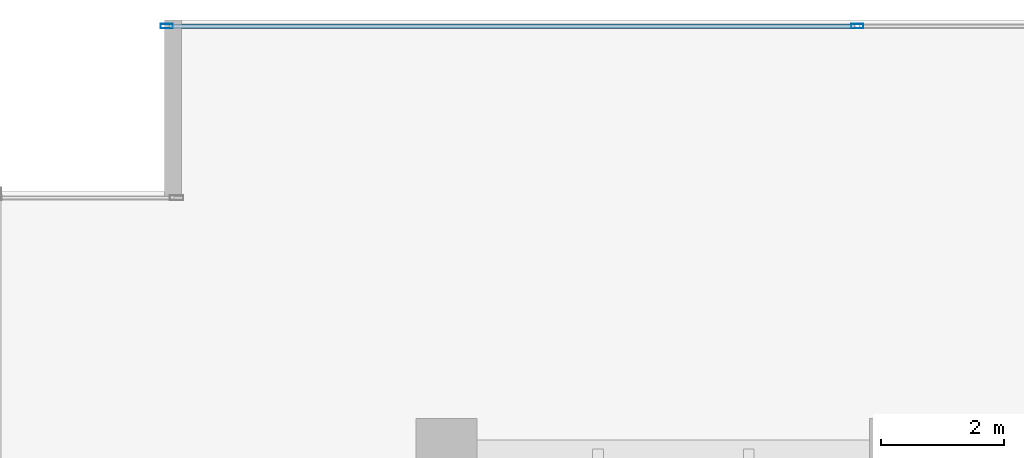
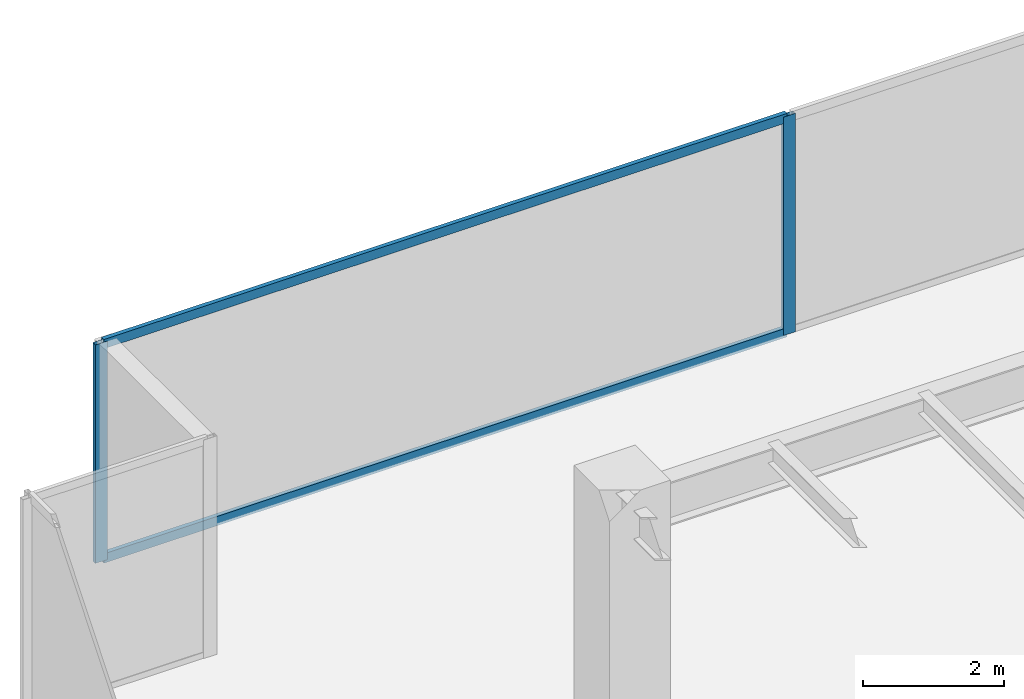
# One storey, part 15 of 35: 4 members, 1 element without a shape of its own.
"""IFC4 building model written with IfcOpenShell, lengths in metres."""

import ifcopenshell
import ifcopenshell.guid

model = None  # the IFC model being written
_history = None  # IfcOwnerHistory: only IFC2X3 demands one
_inside = {}  # id of a spatial element -> (the spatial element, [elements in it])
_under = {}  # id of a project, library or spatial element -> (it, [spatial elements below it])
_declared = {}  # id of a project -> (the project, [libraries it declares])
_typed = {}  # id of a type object -> (the type object, [elements of that type])
_made_of = {}  # id of a material, layer set ... -> (it, [elements and type objects made of it])


def new_model(schema):
    """Start an empty IFC model of exactly this schema.

    Asked for "IFC4X3", IfcOpenShell would pick the latest addendum, in which some entities
    have other attributes; the version numbers below select the first issue.
    IFC2X3 requires an IfcOwnerHistory on every rooted entity: one is made here for all.
    """
    global model, _history
    if schema == "IFC4X3":
        model = ifcopenshell.file(schema_version=(4, 3, 0, 0))
    else:
        model = ifcopenshell.file(schema=schema)
    _inside.clear()
    _under.clear()
    _declared.clear()
    _typed.clear()
    _made_of.clear()
    _history = None
    if model.schema == "IFC2X3":
        org = make("IfcOrganization", Name="unknown")
        user = make(
            "IfcPersonAndOrganization",
            ThePerson=make("IfcPerson", FamilyName="unknown"),
            TheOrganization=org,
        )
        app = make(
            "IfcApplication",
            ApplicationDeveloper=org,
            Version="unknown",
            ApplicationFullName="unknown",
            ApplicationIdentifier="unknown",
        )
        _history = make(
            "IfcOwnerHistory",
            OwningUser=user,
            OwningApplication=app,
            ChangeAction="ADDED",
            CreationDate=0,
        )
    return model


def make(cls, **values):
    """One entity of the class cls with the attributes given. An attribute that is None is left unset."""
    return model.create_entity(
        cls, **{name: value for name, value in values.items() if value is not None}
    )


def rooted(cls, **values):
    """An entity with a GlobalId (a new one), such as an element, a storey or a relation."""
    return make(cls, GlobalId=ifcopenshell.guid.new(), OwnerHistory=_history, **values)


def si_unit(unit_type, name, prefix=None):
    """IfcSIUnit, for example si_unit("LENGTHUNIT", "METRE", prefix="MILLI")."""
    return make("IfcSIUnit", UnitType=unit_type, Prefix=prefix, Name=name)


def assignment(units):
    """IfcUnitAssignment: the units of a project."""
    return None if units is None else make("IfcUnitAssignment", Units=units)


def point(xyz):
    """IfcCartesianPoint."""
    return None if xyz is None else make("IfcCartesianPoint", Coordinates=xyz)


def direction(xyz):
    """IfcDirection."""
    return None if xyz is None else make("IfcDirection", DirectionRatios=xyz)


def frame(location, z_axis=None, x_axis=None):
    """IfcAxis2Placement3D, a coordinate frame: its origin and axes. An axis left out is left unset."""
    return make(
        "IfcAxis2Placement3D",
        Location=point(location),
        Axis=direction(z_axis),
        RefDirection=direction(x_axis),
    )


def frame_2d(location, x_axis=None):
    """IfcAxis2Placement2D, a coordinate frame in the plane: its origin and x axis."""
    return make(
        "IfcAxis2Placement2D", Location=point(location), RefDirection=direction(x_axis)
    )


def origin():
    """The frame at (0, 0, 0) with its axes left unset."""
    return frame((0.0, 0.0, 0.0))


def origin_2d():
    """The frame at (0, 0) in the plane with its x axis left unset."""
    return frame_2d((0.0, 0.0))


def place(relative_to, where):
    """IfcLocalPlacement: puts the frame where relative to a parent placement (None: the world)."""
    return make(
        "IfcLocalPlacement", PlacementRelTo=relative_to, RelativePlacement=where
    )


def context(
    kind, dimensions, precision=None, world=None, true_north=None, identifier=None
):
    """IfcGeometricRepresentationContext, for example the 3D "Model" context."""
    return make(
        "IfcGeometricRepresentationContext",
        ContextIdentifier=identifier,
        ContextType=kind,
        CoordinateSpaceDimension=dimensions,
        Precision=precision,
        WorldCoordinateSystem=world,
        TrueNorth=true_north,
    )


def subcontext(parent, identifier, kind, view, scale=None):
    """IfcGeometricRepresentationSubContext, for example "Body" below "Model"."""
    return make(
        "IfcGeometricRepresentationSubContext",
        ContextIdentifier=identifier,
        ContextType=kind,
        ParentContext=parent,
        TargetScale=scale,
        TargetView=view,
    )


def project(units=None, contexts=None):
    """IfcProject with its units and contexts."""
    return rooted(
        "IfcProject",
        Name="project",
        RepresentationContexts=contexts,
        UnitsInContext=assignment(units),
    )


def spatial(cls, under=None, at=None, **own):
    """A site, building, storey or space (cls), placed at a placement, below another one or the project."""
    s = rooted(cls, ObjectPlacement=at, **own)
    if under is not None:
        _under.setdefault(under.id(), (under, []))[1].append(s)
    return s


def profile(cls, at=None, kind="AREA", **sizes):
    """A parametric profile (cls). Its sizes go by their IFC names, for example OverallWidth=200.0."""
    return make(cls, ProfileType=kind, Position=at, **sizes)


def hollow_rectangle(**sizes):
    """IfcRectangleHollowProfileDef."""
    return profile("IfcRectangleHollowProfileDef", **sizes)


def extrude(swept, where, along, depth):
    """IfcExtrudedAreaSolid: the profile swept, set in the frame where, extruded along a direction by depth."""
    return make(
        "IfcExtrudedAreaSolid",
        SweptArea=swept,
        Position=where,
        ExtrudedDirection=direction(along),
        Depth=depth,
    )


def shape(context_of_items, identifier, shape_type, items):
    """IfcShapeRepresentation: the items that make up one representation, for example the "Body"."""
    return make(
        "IfcShapeRepresentation",
        ContextOfItems=context_of_items,
        RepresentationIdentifier=identifier,
        RepresentationType=shape_type,
        Items=items,
    )


def source(mapping_origin, context_of_items, identifier, shape_type, items):
    """IfcRepresentationMap: a shape defined once, which mapped items show again and again."""
    return make(
        "IfcRepresentationMap",
        MappingOrigin=mapping_origin,
        MappedRepresentation=shape(context_of_items, identifier, shape_type, items),
    )


def transform(
    local_origin,
    x_axis=None,
    y_axis=None,
    z_axis=None,
    scale=None,
    scale2=None,
    scale3=None,
    uniform=True,
):
    """IfcCartesianTransformationOperator3D, or its non-uniform kind. x_axis, y_axis, z_axis: its Axis1, 2, 3."""
    if uniform:
        return make(
            "IfcCartesianTransformationOperator3D",
            Axis1=direction(x_axis),
            Axis2=direction(y_axis),
            LocalOrigin=point(local_origin),
            Scale=scale,
            Axis3=direction(z_axis),
        )
    return make(
        "IfcCartesianTransformationOperator3DnonUniform",
        Axis1=direction(x_axis),
        Axis2=direction(y_axis),
        LocalOrigin=point(local_origin),
        Scale=scale,
        Axis3=direction(z_axis),
        Scale2=scale2,
        Scale3=scale3,
    )


def mapped(mapping_source, mapping_target):
    """IfcMappedItem: shows the shape of a source again, moved by a transform."""
    return make(
        "IfcMappedItem", MappingSource=mapping_source, MappingTarget=mapping_target
    )


def material(Name=None, Category=None):
    """IfcMaterial."""
    return make("IfcMaterial", Name=Name, Category=Category)


def layer(
    of_material, thickness, ventilated=None, Name=None, Category=None, Priority=None
):
    """IfcMaterialLayer: one layer of a wall or slab, of a material (None: an air gap)."""
    return make(
        "IfcMaterialLayer",
        Material=of_material,
        LayerThickness=thickness,
        IsVentilated=ventilated,
        Name=Name,
        Category=Category,
        Priority=Priority,
    )


def layer_set(layers, Name=None):
    """IfcMaterialLayerSet."""
    return make("IfcMaterialLayerSet", MaterialLayers=layers, LayerSetName=Name)


def material_profile(
    of_material, cross_section, Name=None, Category=None, Priority=None
):
    """IfcMaterialProfile: a cross section and its material."""
    return make(
        "IfcMaterialProfile",
        Name=Name,
        Material=of_material,
        Profile=cross_section,
        Priority=Priority,
        Category=Category,
    )


def profile_set(profiles, Name=None, composite=None):
    """IfcMaterialProfileSet."""
    return make(
        "IfcMaterialProfileSet",
        Name=Name,
        MaterialProfiles=profiles,
        CompositeProfile=composite,
    )


def made_of(thing, what):
    """Note that an element or type object is made of a material, layer set ...; save() writes the relation."""
    if what is not None:
        _made_of.setdefault(what.id(), (what, []))[1].append(thing)
    return thing


def type_object(cls, material=None, **own):
    """A type object (cls), such as IfcWallType, which elements share."""
    return made_of(rooted(cls, **own), material)


def type_shapes(of_type, sources):
    """Give a type object the sources (RepresentationMaps) that its elements show as mapped items."""
    of_type.RepresentationMaps = sources


def element(
    cls,
    number,
    at=None,
    inside=None,
    cuts=None,
    type_object=None,
    material=None,
    context=None,
    identifier="Body",
    shape_type=None,
    held_by="IfcProductDefinitionShape",
    body=None,
    shapes=None,
    **own,
):
    """One element of the class cls, such as IfcWall. Its Tag is "e" and its number.

    at: its placement. inside: the storey or other place that contains it. cuts: it is an
    opening in that element (IfcRelVoidsElement). A single representation is given by context,
    identifier, shape_type and body (its items); several are given by shapes. held_by: the class
    of the entity that holds the representations. save() writes the other relations.
    """
    e = rooted(cls, Tag="e%d" % number, ObjectPlacement=at, **own)
    if body is not None:
        shapes = [shape(context, identifier, shape_type, body)]
    if shapes is not None:
        e.Representation = make(held_by, Representations=shapes)
    if inside is not None:
        _inside.setdefault(inside.id(), (inside, []))[1].append(e)
    if cuts is not None:
        rooted(
            "IfcRelVoidsElement", RelatingBuildingElement=cuts, RelatedOpeningElement=e
        )
    if type_object is not None:
        _typed.setdefault(type_object.id(), (type_object, []))[1].append(e)
    return made_of(e, material)


def aggregate(whole, parts):
    """IfcRelAggregates: a whole, such as a stair, and the parts it consists of."""
    return rooted("IfcRelAggregates", RelatingObject=whole, RelatedObjects=parts)


def save(model, path):
    """Write the relations noted so far, then the file.

    IfcRelAggregates (storeys below a building ...), IfcRelContainedInSpatialStructure (elements
    in a storey), IfcRelDefinesByType, IfcRelAssociatesMaterial and IfcRelDeclares: one each for
    every whole, place, type object, material and project.
    """
    for whole, parts in _under.values():
        aggregate(whole, parts)
    for where, things in _inside.values():
        rooted(
            "IfcRelContainedInSpatialStructure",
            RelatedElements=things,
            RelatingStructure=where,
        )
    for kind, things in _typed.values():
        rooted("IfcRelDefinesByType", RelatedObjects=things, RelatingType=kind)
    for what, things in _made_of.values():
        rooted("IfcRelAssociatesMaterial", RelatedObjects=things, RelatingMaterial=what)
    for by, libraries in _declared.values():
        rooted("IfcRelDeclares", RelatingContext=by, RelatedDefinitions=libraries)
    model.write(path)


model = new_model("IFC4")

# Units and contexts
model_context = context("Model", 3, precision=1e-05, world=origin(), true_north=direction((0.0, 1.0)))
body_context = subcontext(model_context, "Body", "Model", "MODEL_VIEW")
ifc_project = project(units=[si_unit("LENGTHUNIT", "METRE"), si_unit("AREAUNIT", "SQUARE_METRE"), si_unit("VOLUMEUNIT", "CUBIC_METRE"), si_unit("PLANEANGLEUNIT", "RADIAN"), si_unit("MASSUNIT", "GRAM", prefix="KILO")], contexts=[model_context])

# Site, building, storey
site_placement = place(None, origin())
site = spatial("IfcSite", under=ifc_project, at=site_placement, CompositionType="ELEMENT")
building_placement = place(site_placement, origin())
building = spatial("IfcBuilding", under=site, at=building_placement, Name="Haelvirn Gate Laboratories", CompositionType="ELEMENT")
storey_placement = place(building_placement, frame((0.0, 0.0, 58.0)))
storey = spatial("IfcBuildingStorey", under=building, at=storey_placement, Name="L14", CompositionType="ELEMENT", Elevation=58.0)

# Curtain wall, members
ifc_material_1 = material(Name="Anodised bronze unitised aluminium & triple low-E glass", Category="aluminium")
ifc_layer = layer(ifc_material_1, 0.18408203125, Name="CW-SYS-2")
ifc_layer_set = layer_set([ifc_layer], Name="Anodised bronze unitised aluminium & triple low-E glass")
curtain_wall_type = type_object("IfcCurtainWallType", Name="CW-SYS-2", PredefinedType="NOTDEFINED", material=ifc_layer_set)
curtain_wall_placement = place(storey_placement, origin())
curtain_wall = element("IfcCurtainWall", 1, at=curtain_wall_placement, inside=storey, type_object=curtain_wall_type, Name="L14 Unitised Curtain Wall CW-L14-P0-E14-1", PredefinedType="NOTDEFINED")
ifc_material_2 = material(Name="Extruded aluminium 6063-T6 (anodised bronze)", Category="aluminium")
ifc_material_profile_1 = material_profile(ifc_material_2, hollow_rectangle(XDim=0.074951171875, YDim=0.199951171875, WallThickness=0.0048828125, at=origin_2d()), Name="CWM-200x75x5")
ifc_profile_set_1 = profile_set([ifc_material_profile_1], Name="Extruded aluminium 6063-T6 (anodised bronze)")
member_type_1 = type_object("IfcMemberType", Name="CWM-T200", PredefinedType="MULLION", material=ifc_profile_set_1)
shared_shape_1 = source(origin(), body_context, "Body", "SweptSolid", [
    extrude(hollow_rectangle(XDim=0.074951171875, YDim=0.199951171875, WallThickness=0.0048828125, at=origin_2d()), origin(), (0.0, 0.0, 1.0), 3.780029296875),
])
type_shapes(member_type_1, [shared_shape_1])
member_1_placement = place(storey_placement, frame((2.83740234375, 48.5, 0.0), z_axis=(0.0, 0.0, 1.0), x_axis=(0.0, 1.0, 0.0)))
member_1 = element("IfcMember", 2, at=member_1_placement, type_object=member_type_1, Name="CW2 mullion 1", PredefinedType="MULLION", context=body_context, shape_type="MappedRepresentation", body=[
    mapped(shared_shape_1, transform((0.0, 0.0, 0.0), scale=1.0)),
])
member_2_placement = place(storey_placement, frame((14.10009765625, 48.5, 0.0), z_axis=(0.0, 0.0, 1.0), x_axis=(0.0, 1.0, 0.0)))
member_2 = element("IfcMember", 3, at=member_2_placement, type_object=member_type_1, Name="CW2 mullion 2", PredefinedType="MULLION", context=body_context, shape_type="MappedRepresentation", body=[
    mapped(shared_shape_1, transform((0.0, 0.0, 0.0), scale=1.0)),
])
ifc_material_profile_2 = material_profile(ifc_material_2, hollow_rectangle(XDim=0.070068359375, YDim=0.159912109375, WallThickness=0.0048828125, at=origin_2d()), Name="CWT-160x70x5")
ifc_profile_set_2 = profile_set([ifc_material_profile_2], Name="Extruded aluminium 6063-T6 (anodised bronze)")
member_type_2 = type_object("IfcMemberType", Name="CWT-T160", PredefinedType="USERDEFINED", material=ifc_profile_set_2)
shared_shape_2 = source(origin(), body_context, "Body", "SweptSolid", [
    extrude(hollow_rectangle(XDim=0.070068359375, YDim=0.159912109375, WallThickness=0.0048828125, at=origin_2d()), origin(), (0.0, 0.0, 1.0), 11.1875),
])
type_shapes(member_type_2, [shared_shape_2])
member_3_placement = place(storey_placement, frame((2.875, 48.5, 0.034912109375), z_axis=(1.0, 0.0, 0.0), x_axis=(0.0, 1.0, 0.0)))
member_3 = element("IfcMember", 4, at=member_3_placement, type_object=member_type_2, Name="CW2 transom 1.1", ObjectType="TRANSOM", PredefinedType="USERDEFINED", context=body_context, shape_type="MappedRepresentation", body=[
    mapped(shared_shape_2, transform((0.0, 0.0, 0.0), scale=1.0)),
])
member_4_placement = place(storey_placement, frame((2.875, 48.5, 3.7451171875), z_axis=(1.0, 0.0, 0.0), x_axis=(0.0, 1.0, 0.0)))
member_4 = element("IfcMember", 5, at=member_4_placement, type_object=member_type_2, Name="CW2 transom 1.2", ObjectType="TRANSOM", PredefinedType="USERDEFINED", context=body_context, shape_type="MappedRepresentation", body=[
    mapped(shared_shape_2, transform((0.0, 0.0, 0.0), scale=1.0)),
])
aggregate(curtain_wall, [member_1, member_2, member_3, member_4])

save(model, "model.ifc")
